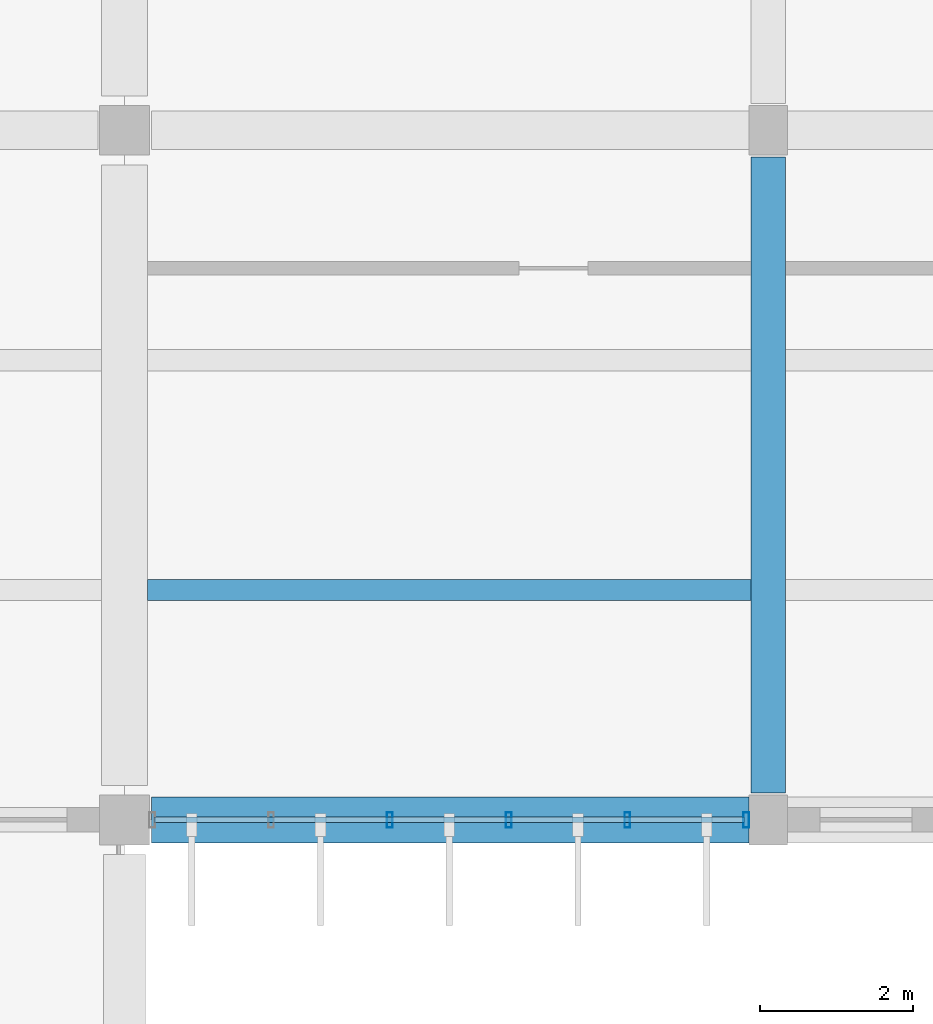
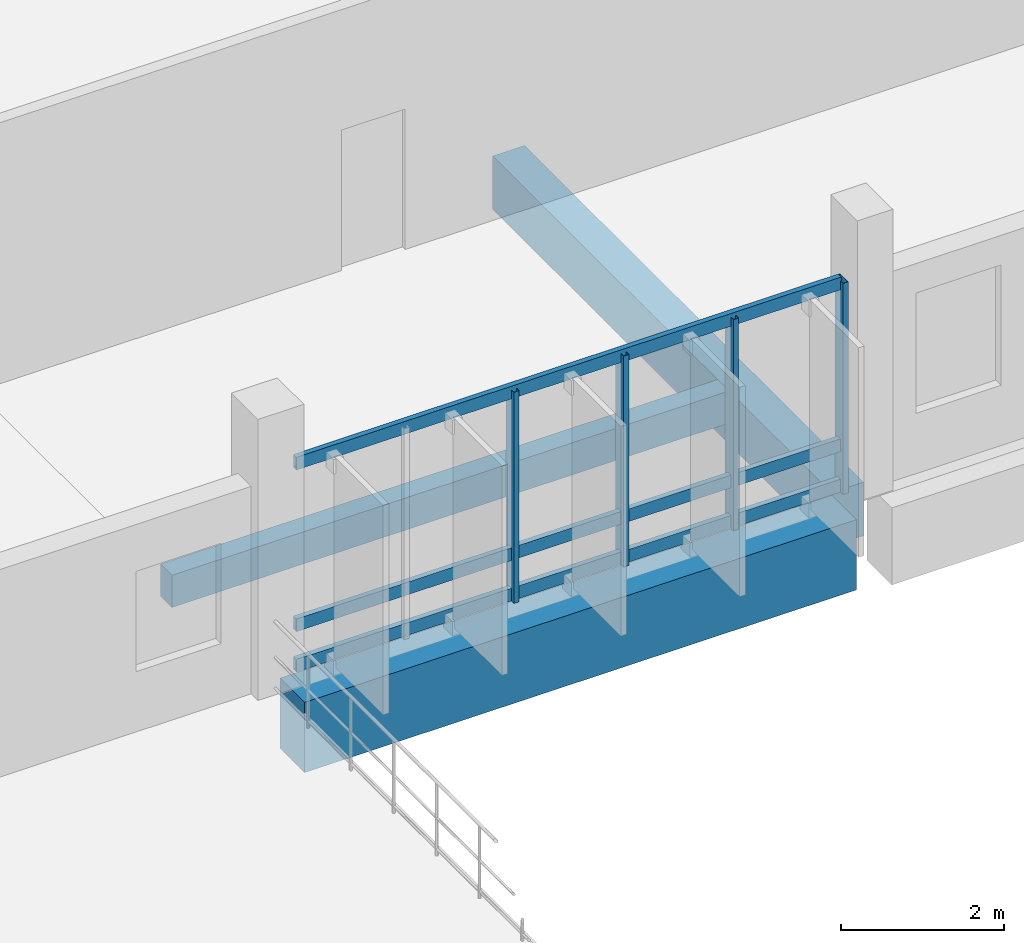
# One storey, part 24 of 101: 7 members, 3 beams, 1 element without a shape of its own.
"""IFC4 building model written with IfcOpenShell, lengths in metres."""

from ifc_helpers import new_model, si_unit, direction, frame, origin, origin_2d, place, context, subcontext, project, spatial, rectangle, hollow_rectangle, extrude, material, layer, layer_set, material_profile, profile_set, type_object, element, aggregate, save


model = new_model("IFC4")

# Units and contexts
model_context = context("Model", 3, precision=1e-05, world=origin(), true_north=direction((0.0, 1.0)))
body_context = subcontext(model_context, "Body", "Model", "MODEL_VIEW")
ifc_project = project(units=[si_unit("LENGTHUNIT", "METRE"), si_unit("AREAUNIT", "SQUARE_METRE"), si_unit("VOLUMEUNIT", "CUBIC_METRE"), si_unit("PLANEANGLEUNIT", "RADIAN"), si_unit("MASSUNIT", "GRAM", prefix="KILO")], contexts=[model_context])

# Site, building, storey
site_placement = place(None, origin())
site = spatial("IfcSite", under=ifc_project, at=site_placement, CompositionType="ELEMENT")
building_placement = place(site_placement, origin())
building = spatial("IfcBuilding", under=site, at=building_placement, Name="Vireocrest Preparatory School", CompositionType="ELEMENT")
storey_placement = place(building_placement, frame((0.0, 0.0, 4.800048828125)))
storey = spatial("IfcBuildingStorey", under=building, at=storey_placement, Name="L01", CompositionType="ELEMENT", Elevation=4.800048828125)

# Curtain wall, members
ifc_material_1 = material(Name="Thermally broken aluminium EN AW-6063-T6", Category="aluminium")
ifc_layer = layer(ifc_material_1, 0.179931640625)
ifc_layer_set = layer_set([ifc_layer], Name="Thermally broken aluminium EN AW-6063-T6")
curtain_wall_type = type_object("IfcCurtainWallType", Name="North Street Curtain Wall 8400x4000", PredefinedType="USERDEFINED", material=ifc_layer_set)
curtain_wall_placement = place(storey_placement, origin())
curtain_wall = element("IfcCurtainWall", 1, at=curtain_wall_placement, inside=storey, type_object=curtain_wall_type, Name="Curtain Wall CW05 CW_L01_CW05_1095_0180_048", ObjectType="CURTAIN WALL", PredefinedType="USERDEFINED")
ifc_material_profile_1 = material_profile(ifc_material_1, hollow_rectangle(XDim=0.074951171875, YDim=0.199951171875, WallThickness=0.0048828125, at=origin_2d()), Name="ALU 75x200x5")
ifc_profile_set_1 = profile_set([ifc_material_profile_1], Name="Thermally broken aluminium EN AW-6063-T6")
member_type_1 = type_object("IfcMemberType", Name="CW Mullion 75x200x5", PredefinedType="MULLION", material=ifc_profile_set_1)
member_1_placement = place(storey_placement, frame((112.662109375, 18.0, 0.0), z_axis=(0.0, 0.0, 1.0), x_axis=(1.0, 0.0, 0.0)))
member_1 = element("IfcMember", 2, at=member_1_placement, type_object=member_type_1, Name="CW Mullion ML3 CW_L01_CW05_1095_0180_048-3", PredefinedType="MULLION", context=body_context, shape_type="SweptSolid", body=[
    extrude(hollow_rectangle(XDim=0.074951171875, YDim=0.199951171875, WallThickness=0.0048828125, at=origin_2d()), origin(), (0.0, 0.0, 1.0), 3.155029296875),
])
member_2_placement = place(storey_placement, frame((114.212890625, 18.0, 0.0), z_axis=(0.0, 0.0, 1.0), x_axis=(1.0, 0.0, 0.0)))
member_2 = element("IfcMember", 3, at=member_2_placement, type_object=member_type_1, Name="CW Mullion ML3 CW_L01_CW05_1095_0180_048-4", PredefinedType="MULLION", context=body_context, shape_type="SweptSolid", body=[
    extrude(hollow_rectangle(XDim=0.074951171875, YDim=0.199951171875, WallThickness=0.0048828125, at=origin_2d()), origin(), (0.0, 0.0, 1.0), 3.155029296875),
])
member_3_placement = place(storey_placement, frame((115.763916015625, 18.0, 0.0), z_axis=(0.0, 0.0, 1.0), x_axis=(1.0, 0.0, 0.0)))
member_3 = element("IfcMember", 4, at=member_3_placement, type_object=member_type_1, Name="CW Mullion ML3 CW_L01_CW05_1095_0180_048-5", PredefinedType="MULLION", context=body_context, shape_type="SweptSolid", body=[
    extrude(hollow_rectangle(XDim=0.074951171875, YDim=0.199951171875, WallThickness=0.0048828125, at=origin_2d()), origin(), (0.0, 0.0, 1.0), 3.155029296875),
])
member_4_placement = place(storey_placement, frame((117.31494140625, 18.0, 0.0), z_axis=(0.0, 0.0, 1.0), x_axis=(1.0, 0.0, 0.0)))
member_4 = element("IfcMember", 5, at=member_4_placement, type_object=member_type_1, Name="CW Mullion ML3 CW_L01_CW05_1095_0180_048-6", PredefinedType="MULLION", context=body_context, shape_type="SweptSolid", body=[
    extrude(hollow_rectangle(XDim=0.074951171875, YDim=0.199951171875, WallThickness=0.0048828125, at=origin_2d()), origin(), (0.0, 0.0, 1.0), 3.155029296875),
])
ifc_material_profile_2 = material_profile(ifc_material_1, hollow_rectangle(XDim=0.074951171875, YDim=0.18994140625, WallThickness=0.00390625, at=origin_2d()), Name="ALU 75x190x4")
ifc_profile_set_2 = profile_set([ifc_material_profile_2], Name="Thermally broken aluminium EN AW-6063-T6")
member_type_2 = type_object("IfcMemberType", Name="CW Transom 75x190x4", PredefinedType="USERDEFINED", material=ifc_profile_set_2)
member_5_placement = place(storey_placement, frame((109.5849609375, 18.0, 0.094970703125), z_axis=(1.0, 0.0, 0.0), x_axis=(0.0, 1.0, 0.0)))
member_5 = element("IfcMember", 6, at=member_5_placement, type_object=member_type_2, Name="CW Transom TR3 CW_L01_CW05_1095_0180_048-1", ObjectType="TRANSOM", PredefinedType="USERDEFINED", context=body_context, shape_type="SweptSolid", body=[
    extrude(hollow_rectangle(XDim=0.074951171875, YDim=0.18994140625, WallThickness=0.00390625, at=origin_2d()), origin(), (0.0, 0.0, 1.0), 7.705078125),
])
member_6_placement = place(storey_placement, frame((109.5849609375, 18.0, 0.699951171875), z_axis=(1.0, 0.0, 0.0), x_axis=(0.0, 1.0, 0.0)))
member_6 = element("IfcMember", 7, at=member_6_placement, type_object=member_type_2, Name="CW Transom TR3 CW_L01_CW05_1095_0180_048-2", ObjectType="TRANSOM", PredefinedType="USERDEFINED", context=body_context, shape_type="SweptSolid", body=[
    extrude(hollow_rectangle(XDim=0.074951171875, YDim=0.18994140625, WallThickness=0.00390625, at=origin_2d()), origin(), (0.0, 0.0, 1.0), 7.705078125),
])
member_7_placement = place(storey_placement, frame((109.5849609375, 18.0, 3.114990234375), z_axis=(1.0, 0.0, 0.0), x_axis=(0.0, 1.0, 0.0)))
member_7 = element("IfcMember", 8, at=member_7_placement, type_object=member_type_2, Name="CW Transom TR3 CW_L01_CW05_1095_0180_048-3", ObjectType="TRANSOM", PredefinedType="USERDEFINED", context=body_context, shape_type="SweptSolid", body=[
    extrude(hollow_rectangle(XDim=0.074951171875, YDim=0.18994140625, WallThickness=0.00390625, at=origin_2d()), origin(), (0.0, 0.0, 1.0), 7.705078125),
])
aggregate(curtain_wall, [member_1, member_2, member_3, member_4, member_5, member_6, member_7])

# Beams
ifc_material_2 = material(Name="Concrete 40 MPa", Category="concrete")
ifc_material_profile_3 = material_profile(ifc_material_2, rectangle(XDim=0.449951171875, YDim=0.800048828125, at=origin_2d()), Name="RC 450x800")
ifc_profile_set_3 = profile_set([ifc_material_profile_3], Name="Concrete 40 MPa")
beam_type_1 = type_object("IfcBeamType", Name="RC Library Stack Girder 450x800", PredefinedType="BEAM", material=ifc_profile_set_3)
beam_1_placement = place(storey_placement, frame((117.60009765625, 18.35009765625, -0.679931640625), z_axis=(0.0, 1.0, 0.0), x_axis=(-1.0, 0.0, 0.0)))
element("IfcBeam", 9, at=beam_1_placement, inside=storey, type_object=beam_type_1, Name="Primary Girder B12 L01-0473", PredefinedType="BEAM", context=body_context, shape_type="SweptSolid", body=[
    extrude(rectangle(XDim=0.449951171875, YDim=0.800048828125, at=origin_2d()), origin(), (0.0, 0.0, 1.0), 8.2998046875),
])
ifc_material_profile_4 = material_profile(ifc_material_2, rectangle(XDim=0.280029296875, YDim=0.47998046875, at=origin_2d()), Name="RC 280x480")
ifc_profile_set_4 = profile_set([ifc_material_profile_4], Name="Concrete 40 MPa")
beam_type_2 = type_object("IfcBeamType", Name="RC Secondary Lab Joist 280x480", PredefinedType="JOIST", material=ifc_profile_set_4)
beam_2_placement = place(storey_placement, frame((109.5, 21.0, -0.52001953125), z_axis=(1.0, 0.0, 0.0), x_axis=(0.0, 1.0, 0.0)))
element("IfcBeam", 10, at=beam_2_placement, inside=storey, type_object=beam_type_2, Name="Secondary Joist J02 L01-0627", PredefinedType="JOIST", context=body_context, shape_type="SweptSolid", body=[
    extrude(rectangle(XDim=0.280029296875, YDim=0.47998046875, at=origin_2d()), origin(), (0.0, 0.0, 1.0), 7.875),
])
ifc_material_profile_5 = material_profile(ifc_material_2, rectangle(XDim=0.60009765625, YDim=1.050048828125, at=origin_2d()), Name="RC 600x1050")
ifc_profile_set_5 = profile_set([ifc_material_profile_5], Name="Concrete 40 MPa")
beam_type_3 = type_object("IfcBeamType", Name="RC Transfer Girder 600x1050", PredefinedType="BEAM", material=ifc_profile_set_5)
beam_3_placement = place(storey_placement, frame((109.550048828125, 18.0, -0.804931640625), z_axis=(1.0, 0.0, 0.0), x_axis=(0.0, 1.0, 0.0)))
element("IfcBeam", 11, at=beam_3_placement, inside=storey, type_object=beam_type_3, Name="Primary Girder B19 L01-0269", PredefinedType="BEAM", context=body_context, shape_type="SweptSolid", body=[
    extrude(rectangle(XDim=0.60009765625, YDim=1.050048828125, at=origin_2d()), origin(), (0.0, 0.0, 1.0), 7.800048828125),
])

save(model, "model.ifc")
